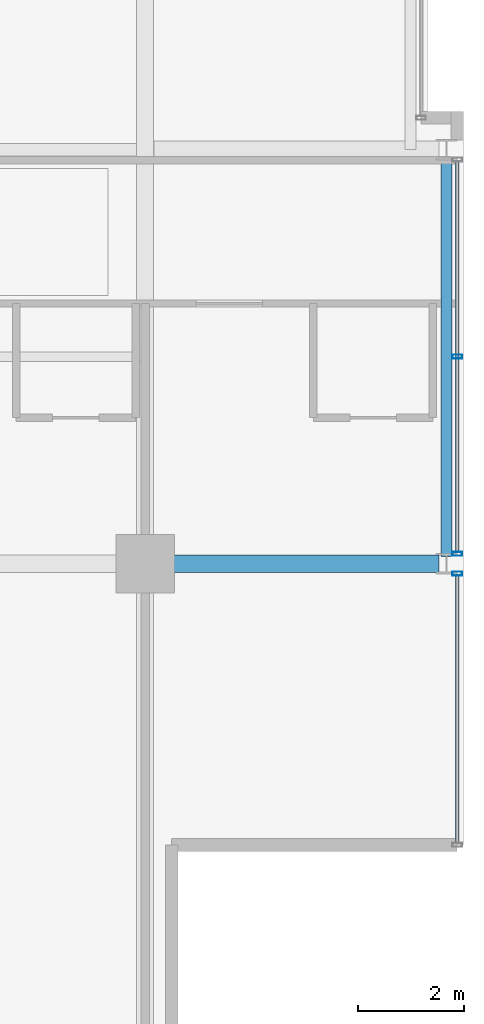
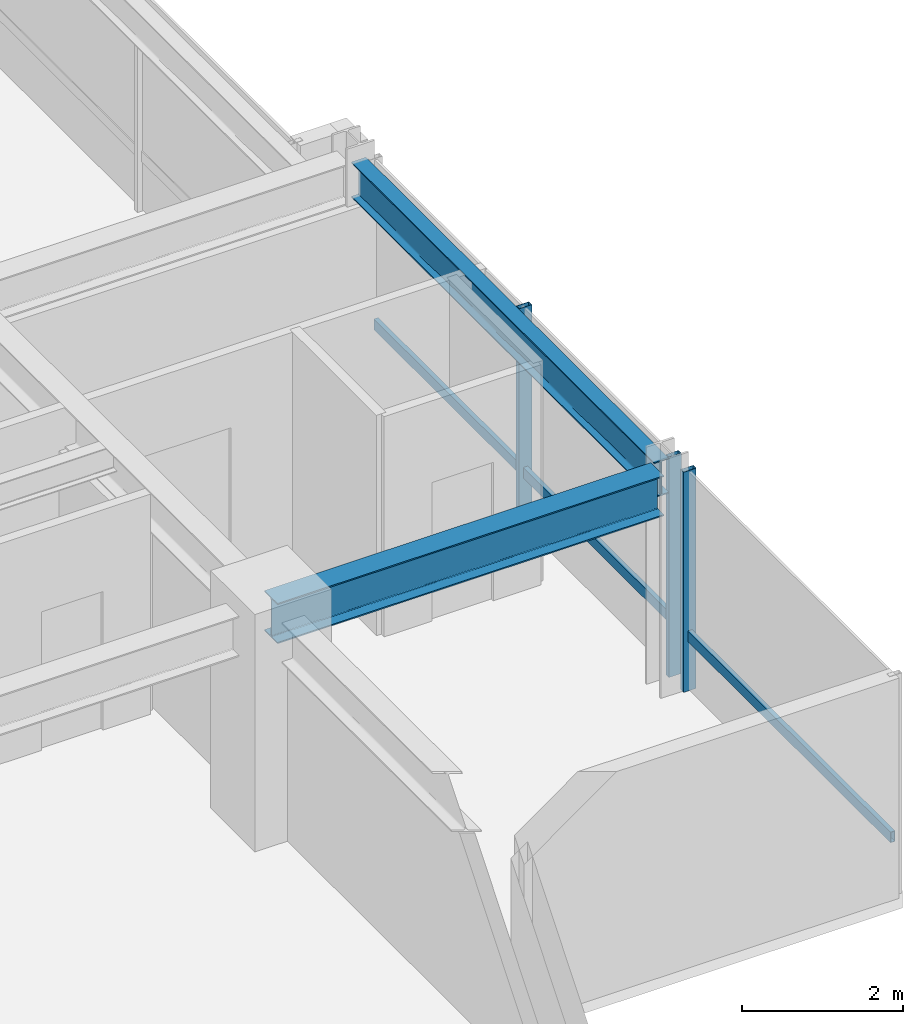
# One storey, part 14 of 32: 5 members, 2 beams, 2 elements without a shape of their own.
"""IFC4 building model written with IfcOpenShell, lengths in metres."""

from ifc_helpers import new_model, si_unit, direction, frame, origin, origin_2d, place, context, subcontext, project, spatial, hollow_rectangle, i_section, extrude, material, layer, layer_set, material_profile, profile_set, type_object, element, aggregate, save


model = new_model("IFC4")

# Units and contexts
model_context = context("Model", 3, precision=1e-05, world=origin(), true_north=direction((0.0, 1.0)))
body_context = subcontext(model_context, "Body", "Model", "MODEL_VIEW")
ifc_project = project(units=[si_unit("LENGTHUNIT", "METRE"), si_unit("AREAUNIT", "SQUARE_METRE"), si_unit("VOLUMEUNIT", "CUBIC_METRE"), si_unit("PLANEANGLEUNIT", "RADIAN"), si_unit("MASSUNIT", "GRAM", prefix="KILO")], contexts=[model_context])

# Site, building, storey
site_placement = place(None, origin())
site = spatial("IfcSite", under=ifc_project, at=site_placement, CompositionType="ELEMENT")
building_placement = place(site_placement, origin())
building = spatial("IfcBuilding", under=site, at=building_placement, Name="Drelvath Grand Hotel", CompositionType="ELEMENT")
storey_placement = place(building_placement, frame((0.0, 0.0, 223.10009765625)))
storey = spatial("IfcBuildingStorey", under=building, at=storey_placement, Name="L58", CompositionType="ELEMENT", Elevation=223.10009765625)

# Curtain wall, member
ifc_material_1 = material(Name="Platinum-Mist Anodised Aluminium Frame", Category="aluminium")
ifc_layer = layer(ifc_material_1, 0.199951171875)
ifc_layer_set = layer_set([ifc_layer], Name="Platinum-Mist Anodised Aluminium Frame")
curtain_wall_type = type_object("IfcCurtainWallType", Name="Stick Curtain Wall CW-05 Platinum Mist High-Rise", PredefinedType="NOTDEFINED", material=ifc_layer_set)
curtain_wall_1_placement = place(storey_placement, origin())
curtain_wall_1 = element("IfcCurtainWall", 1, at=curtain_wall_1_placement, inside=storey, type_object=curtain_wall_type, Name="L58 CW-05 Curtain Wall CW05-L58-ES1", PredefinedType="NOTDEFINED")
ifc_material_profile_1 = material_profile(ifc_material_1, hollow_rectangle(XDim=0.06494140625, YDim=0.159912109375, WallThickness=0.00390625, at=origin_2d()), Name="HSS160X65X4")
ifc_profile_set_1 = profile_set([ifc_material_profile_1], Name="Platinum-Mist Anodised Aluminium Frame")
member_type_1 = type_object("IfcMemberType", Name="Curtain Wall Horizontal Transom CW-05 HSS160X65X4", PredefinedType="USERDEFINED", material=ifc_profile_set_1)
member_1_placement = place(storey_placement, frame((22.080078125, 10.57470703125, 0.8349609375), z_axis=(0.0, -1.0, 0.0), x_axis=(1.0, 0.0, 0.0)))
member_1 = element("IfcMember", 2, at=member_1_placement, type_object=member_type_1, Name="CW05-L58-ES1 Sill Transom", ObjectType="TRANSOM", PredefinedType="USERDEFINED", context=body_context, shape_type="SweptSolid", body=[
    extrude(hollow_rectangle(XDim=0.06494140625, YDim=0.159912109375, WallThickness=0.00390625, at=origin_2d()), origin(), (0.0, 0.0, 1.0), 5.03466796875),
])

curtain_wall_2_placement = place(storey_placement, origin())
curtain_wall_2 = element("IfcCurtainWall", 3, at=curtain_wall_2_placement, inside=storey, type_object=curtain_wall_type, Name="L58 CW-05 Curtain Wall CW05-L58-ES2", PredefinedType="NOTDEFINED")
member_2_placement = place(storey_placement, frame((22.080078125, 18.374755859375, 0.8349609375), z_axis=(0.0, -1.0, 0.0), x_axis=(1.0, 0.0, 0.0)))
member_2 = element("IfcMember", 4, at=member_2_placement, type_object=member_type_1, Name="CW05-L58-ES2 Sill Transom", ObjectType="TRANSOM", PredefinedType="USERDEFINED", context=body_context, shape_type="SweptSolid", body=[
    extrude(hollow_rectangle(XDim=0.06494140625, YDim=0.159912109375, WallThickness=0.00390625, at=origin_2d()), origin(), (0.0, 0.0, 1.0), 7.349365234375),
])

# Member
ifc_material_profile_2 = material_profile(ifc_material_1, hollow_rectangle(XDim=0.074951171875, YDim=0.179931640625, WallThickness=0.0048828125, at=origin_2d()), Name="HSS180X75X5")
ifc_profile_set_2 = profile_set([ifc_material_profile_2], Name="Platinum-Mist Anodised Aluminium Frame")
member_type_2 = type_object("IfcMemberType", Name="Curtain Wall Vertical Mullion CW-05 HSS180X75X5", PredefinedType="MULLION", material=ifc_profile_set_2)
member_3_placement = place(storey_placement, frame((22.080078125, 10.61474609375, 0.0), z_axis=(0.0, 0.0, 1.0), x_axis=(0.0, 1.0, 0.0)))
member_3 = element("IfcMember", 5, at=member_3_placement, type_object=member_type_2, Name="CW05-L58-ES1 Mullion 1", PredefinedType="MULLION", context=body_context, shape_type="SweptSolid", body=[
    extrude(hollow_rectangle(XDim=0.074951171875, YDim=0.179931640625, WallThickness=0.0048828125, at=origin_2d()), origin(), (0.0, 0.0, 1.0), 3.33984375),
])

aggregate(curtain_wall_1, [member_3, member_1])

member_4_placement = place(storey_placement, frame((22.080078125, 14.699951171875, 0.0), z_axis=(0.0, 0.0, 1.0), x_axis=(0.0, 1.0, 0.0)))
member_4 = element("IfcMember", 6, at=member_4_placement, type_object=member_type_2, Name="CW05-L58-ES2 Mullion 2", PredefinedType="MULLION", context=body_context, shape_type="SweptSolid", body=[
    extrude(hollow_rectangle(XDim=0.074951171875, YDim=0.179931640625, WallThickness=0.0048828125, at=origin_2d()), origin(), (0.0, 0.0, 1.0), 3.33984375),
])

member_5_placement = place(storey_placement, frame((22.080078125, 10.9853515625, 0.0), z_axis=(0.0, 0.0, 1.0), x_axis=(0.0, 1.0, 0.0)))
member_5 = element("IfcMember", 7, at=member_5_placement, type_object=member_type_2, Name="CW05-L58-ES2 Mullion 3", PredefinedType="MULLION", context=body_context, shape_type="SweptSolid", body=[
    extrude(hollow_rectangle(XDim=0.074951171875, YDim=0.179931640625, WallThickness=0.0048828125, at=origin_2d()), origin(), (0.0, 0.0, 1.0), 3.33984375),
])

aggregate(curtain_wall_2, [member_4, member_5, member_2])

# Beams
ifc_material_2 = material(Name="Steel ASTM A992 Gr 50", Category="steel")
ifc_material_profile_3 = material_profile(ifc_material_2, i_section(OverallWidth=0.210205078125, OverallDepth=0.53662109375, WebThickness=0.010986328125, FlangeThickness=0.017333984375, FilletRadius=0.01806640625, at=origin_2d()), Name="W21X68")
ifc_profile_set_3 = profile_set([ifc_material_profile_3], Name="Steel ASTM A992 Gr 50")
beam_type_1 = type_object("IfcBeamType", Name="Perimeter Spandrel Beam W21X68", PredefinedType="SPANDREL", material=ifc_profile_set_3)
beam_1_placement = place(storey_placement, frame((21.8798828125, 10.93994140625, 3.071533203125), z_axis=(0.0, 1.0, 0.0), x_axis=(-1.0, 0.0, 0.0)))
element("IfcBeam", 8, at=beam_1_placement, inside=storey, type_object=beam_type_1, Name="L58 Spandrel East S", PredefinedType="SPANDREL", context=body_context, shape_type="SweptSolid", body=[
    extrude(i_section(OverallWidth=0.210205078125, OverallDepth=0.53662109375, WebThickness=0.010986328125, FlangeThickness=0.017333984375, FilletRadius=0.01806640625, at=origin_2d()), origin(), (0.0, 0.0, 1.0), 7.52001953125),
])
ifc_material_profile_4 = material_profile(ifc_material_2, i_section(OverallWidth=0.323974609375, OverallDepth=0.611083984375, WebThickness=0.0126953125, FlangeThickness=0.01904296875, FilletRadius=0.02197265625, at=origin_2d()), Name="W24X104")
ifc_profile_set_4 = profile_set([ifc_material_profile_4], Name="Steel ASTM A992 Gr 50")
beam_type_2 = type_object("IfcBeamType", Name="Primary Floor Girder W24X104", PredefinedType="BEAM", material=ifc_profile_set_4)
beam_2_placement = place(storey_placement, frame((16.199951171875, 10.800048828125, 3.034423828125), z_axis=(1.0, 0.0, 0.0), x_axis=(0.0, 1.0, 0.0)))
element("IfcBeam", 9, at=beam_2_placement, inside=storey, type_object=beam_type_2, Name="L58 East Grid Girder C", PredefinedType="BEAM", context=body_context, shape_type="SweptSolid", body=[
    extrude(i_section(OverallWidth=0.323974609375, OverallDepth=0.611083984375, WebThickness=0.0126953125, FlangeThickness=0.01904296875, FilletRadius=0.02197265625, at=origin_2d()), origin(), (0.0, 0.0, 1.0), 5.5400390625),
])

save(model, "model.ifc")
